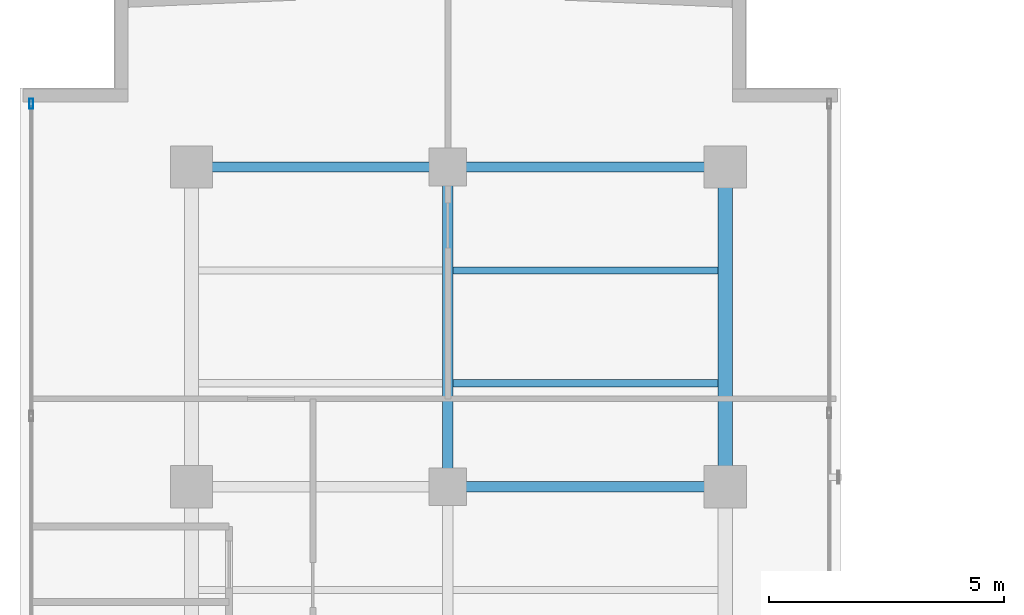
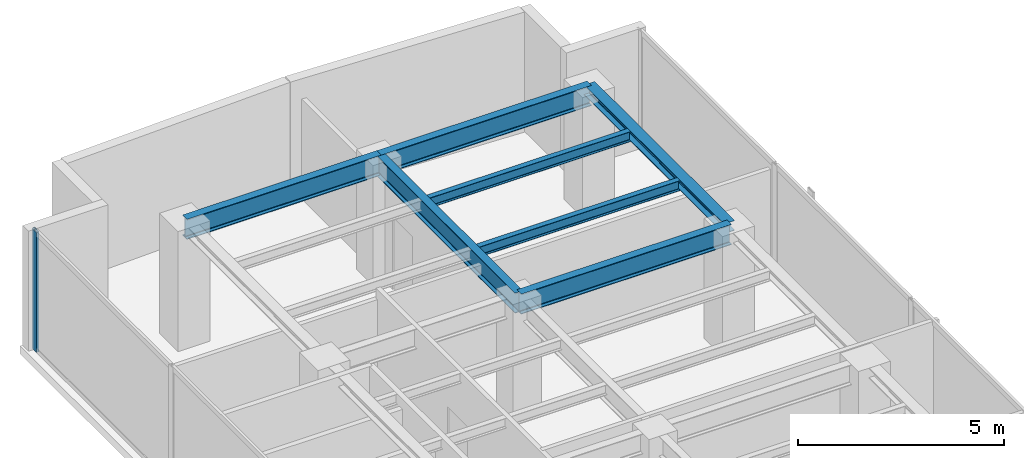
# One storey, part 14 of 24: 7 beams, 1 member, 1 element without a shape of its own.
"""IFC4 building model written with IfcOpenShell, lengths in metres."""

from ifc_helpers import new_model, si_unit, direction, frame, origin, origin_with_axes, origin_2d, place, context, subcontext, project, spatial, hollow_rectangle, i_section, extrude, source, transform, mapped, material, layer, layer_set, material_profile, profile_set, type_object, element, aggregate, save


model = new_model("IFC4")

# Units and contexts
model_context = context("Model", 3, precision=1e-05, world=origin(), true_north=direction((0.0, 1.0)))
body_context = subcontext(model_context, "Body", "Model", "MODEL_VIEW")
ifc_project = project(units=[si_unit("LENGTHUNIT", "METRE"), si_unit("AREAUNIT", "SQUARE_METRE"), si_unit("VOLUMEUNIT", "CUBIC_METRE"), si_unit("PLANEANGLEUNIT", "RADIAN"), si_unit("MASSUNIT", "GRAM", prefix="KILO")], contexts=[model_context])

# Site, building, storey
site_placement = place(None, origin())
site = spatial("IfcSite", under=ifc_project, at=site_placement, CompositionType="ELEMENT")
building_placement = place(site_placement, origin())
building = spatial("IfcBuilding", under=site, at=building_placement, Name="Kolvaren Waterfront Exchange", CompositionType="ELEMENT")
storey_placement = place(building_placement, frame((0.0, 0.0, 316.0)))
storey = spatial("IfcBuildingStorey", under=building, at=storey_placement, Name="L81", CompositionType="ELEMENT", Elevation=316.0)

# Beams
ifc_material_1 = material(Name="Steel S355", Category="steel")
ifc_material_profile_1 = material_profile(ifc_material_1, i_section(OverallWidth=0.300048828125, OverallDepth=0.300048828125, WebThickness=0.010986328125, FlangeThickness=0.01904296875, FilletRadius=0.027099609375, at=origin_2d()), Name="HEB300")
ifc_profile_set_1 = profile_set([ifc_material_profile_1], Name="Steel S355")
beam_type_1 = type_object("IfcBeamType", Name="STR-BM-HEB300", PredefinedType="SPANDREL", material=ifc_profile_set_1)
beam_1_placement = place(storey_placement, frame((18.800048828125, 37.800048828125, 3.409912109375), z_axis=(0.0, 1.0, 0.0), x_axis=(-1.0, 0.0, 0.0)))
element("IfcBeam", 1, at=beam_1_placement, inside=storey, type_object=beam_type_1, Name="L81 north-arm edge beam 3", PredefinedType="SPANDREL", context=body_context, shape_type="SweptSolid", body=[
    extrude(i_section(OverallWidth=0.300048828125, OverallDepth=0.300048828125, WebThickness=0.010986328125, FlangeThickness=0.01904296875, FilletRadius=0.027099609375, at=origin_2d()), origin(), (0.0, 0.0, 1.0), 6.800048828125),
])
ifc_material_profile_2 = material_profile(ifc_material_1, i_section(OverallWidth=0.14990234375, OverallDepth=0.300048828125, WebThickness=0.007080078125, FlangeThickness=0.0107421875, FilletRadius=0.014892578125, at=origin_2d()), Name="IPE300")
ifc_profile_set_2 = profile_set([ifc_material_profile_2], Name="Steel S355")
beam_type_2 = type_object("IfcBeamType", Name="STR-BM-IPE300", PredefinedType="JOIST", material=ifc_profile_set_2)
for number, where, z_axis, x_axis, name in (
    (2, (13.011962890625, 40.0, 3.409912109375), (1.0, 0.0, 0.0), (0.0, 1.0, 0.0), "L81 north-arm composite joist 5B"),
    (3, (13.011962890625, 42.39990234375, 3.409912109375), (1.0, 0.0, 0.0), (0.0, 1.0, 0.0), "L81 north-arm composite joist 6B"),
):
    element("IfcBeam", number, at=place(storey_placement, frame(where, z_axis=z_axis, x_axis=x_axis)), inside=storey, type_object=beam_type_2, Name=name, PredefinedType="JOIST", context=body_context, shape_type="SweptSolid", body=[
        extrude(i_section(OverallWidth=0.14990234375, OverallDepth=0.300048828125, WebThickness=0.007080078125, FlangeThickness=0.0107421875, FilletRadius=0.014892578125, at=origin_2d()), origin(), (0.0, 0.0, 1.0), 5.635986328125),
    ])
ifc_material_profile_3 = material_profile(ifc_material_1, i_section(OverallWidth=0.219970703125, OverallDepth=0.60009765625, WebThickness=0.011962890625, FlangeThickness=0.01904296875, FilletRadius=0.02392578125, at=origin_2d()), Name="IPE600")
ifc_profile_set_3 = profile_set([ifc_material_profile_3], Name="Steel S355")
beam_type_3 = type_object("IfcBeamType", Name="STR-BM-IPE600", PredefinedType="BEAM", material=ifc_profile_set_3)
beam_2_placement = place(storey_placement, frame((12.89990234375, 37.800048828125, 3.260009765625), z_axis=(1.0, 0.0, 0.0), x_axis=(0.0, 1.0, 0.0)))
element("IfcBeam", 4, at=beam_2_placement, inside=storey, type_object=beam_type_3, Name="L81 north-arm girder 3B", PredefinedType="BEAM", context=body_context, shape_type="SweptSolid", body=[
    extrude(i_section(OverallWidth=0.219970703125, OverallDepth=0.60009765625, WebThickness=0.011962890625, FlangeThickness=0.01904296875, FilletRadius=0.02392578125, at=origin_2d()), origin(), (0.0, 0.0, 1.0), 5.900146484375),
])
beam_3_placement = place(storey_placement, frame((7.449951171875, 44.60009765625, 3.260009765625), z_axis=(1.0, 0.0, 0.0), x_axis=(0.0, 1.0, 0.0)))
element("IfcBeam", 5, at=beam_3_placement, inside=storey, type_object=beam_type_3, Name="L81 north-arm girder 4A", PredefinedType="BEAM", context=body_context, shape_type="SweptSolid", body=[
    extrude(i_section(OverallWidth=0.219970703125, OverallDepth=0.60009765625, WebThickness=0.011962890625, FlangeThickness=0.01904296875, FilletRadius=0.02392578125, at=origin_2d()), origin(), (0.0, 0.0, 1.0), 5.449951171875),
])
beam_4_placement = place(storey_placement, frame((12.89990234375, 44.60009765625, 3.260009765625), z_axis=(1.0, 0.0, 0.0), x_axis=(0.0, 1.0, 0.0)))
element("IfcBeam", 6, at=beam_4_placement, inside=storey, type_object=beam_type_3, Name="L81 north-arm girder 4B", PredefinedType="BEAM", context=body_context, shape_type="SweptSolid", body=[
    extrude(i_section(OverallWidth=0.219970703125, OverallDepth=0.60009765625, WebThickness=0.011962890625, FlangeThickness=0.01904296875, FilletRadius=0.02392578125, at=origin_2d()), origin(), (0.0, 0.0, 1.0), 5.900146484375),
])
beam_5_placement = place(storey_placement, frame((12.89990234375, 37.800048828125, 3.260009765625), z_axis=(0.0, 1.0, 0.0), x_axis=(-1.0, 0.0, 0.0)))
element("IfcBeam", 7, at=beam_5_placement, inside=storey, type_object=beam_type_3, Name="L81 north-arm edge beam 3", PredefinedType="BEAM", context=body_context, shape_type="SweptSolid", body=[
    extrude(i_section(OverallWidth=0.219970703125, OverallDepth=0.60009765625, WebThickness=0.011962890625, FlangeThickness=0.01904296875, FilletRadius=0.02392578125, at=origin_2d()), origin(), (0.0, 0.0, 1.0), 6.800048828125),
])

# Curtain wall, member
ifc_material_2 = material(Name="Anodised aluminium 6063-T6", Category="aluminium")
ifc_layer = layer(ifc_material_2, 0.219970703125, Name="Anodised aluminium 6063-T6")
ifc_layer_set = layer_set([ifc_layer], Name="Anodised aluminium 6063-T6")
curtain_wall_type = type_object("IfcCurtainWallType", Name="ARC-CW-SYS2", PredefinedType="USERDEFINED", material=ifc_layer_set)
curtain_wall_placement = place(storey_placement, origin())
curtain_wall = element("IfcCurtainWall", 8, at=curtain_wall_placement, inside=storey, type_object=curtain_wall_type, Name="L81 stick curtain wall CW2 (CW-L81-W)", ObjectType="STICK CURTAIN WALL", PredefinedType="USERDEFINED")
ifc_material_profile_4 = material_profile(ifc_material_2, hollow_rectangle(XDim=0.080078125, YDim=0.219970703125, WallThickness=0.0048828125, at=origin_2d()), Name="ALU-MUL-220x80x5")
ifc_profile_set_4 = profile_set([ifc_material_profile_4], Name="Anodised aluminium 6063-T6")
member_type = type_object("IfcMemberType", Name="ARC-CWM-220", PredefinedType="MULLION", material=ifc_profile_set_4)
shared_shape = source(origin_with_axes(), body_context, "Body", "SweptSolid", [
    extrude(hollow_rectangle(XDim=0.080078125, YDim=0.219970703125, WallThickness=0.0048828125, at=origin_2d()), origin(), (0.0, 0.0, 1.0), 3.56005859375),
])
member_placement = place(storey_placement, frame((4.0400390625, 45.944091796875, 0.0), z_axis=(0.0, 0.0, 1.0), x_axis=(-1.0, 0.0, 0.0)))
member = element("IfcMember", 9, at=member_placement, type_object=member_type, Name="CW2 mullion 7", PredefinedType="MULLION", context=body_context, shape_type="MappedRepresentation", body=[
    mapped(shared_shape, transform((0.0, 0.0, 0.0), x_axis=(1.0, 0.0, 0.0), y_axis=(0.0, 1.0, 0.0), z_axis=(0.0, 0.0, 1.0), scale=1.0)),
])
aggregate(curtain_wall, [member])

save(model, "model.ifc")
